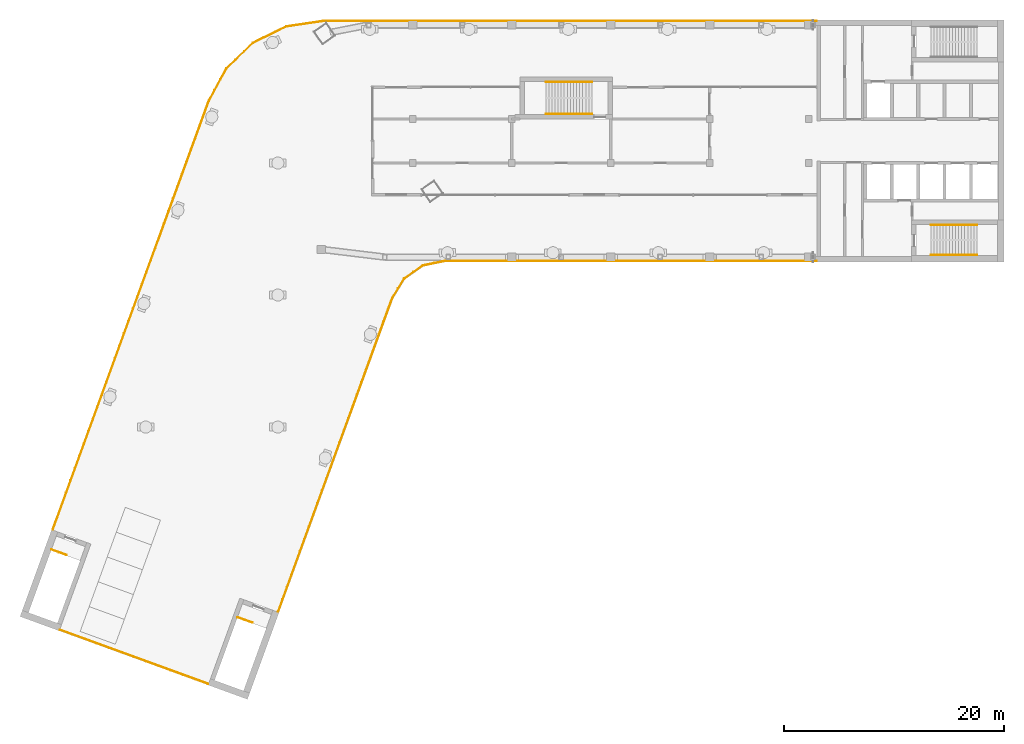
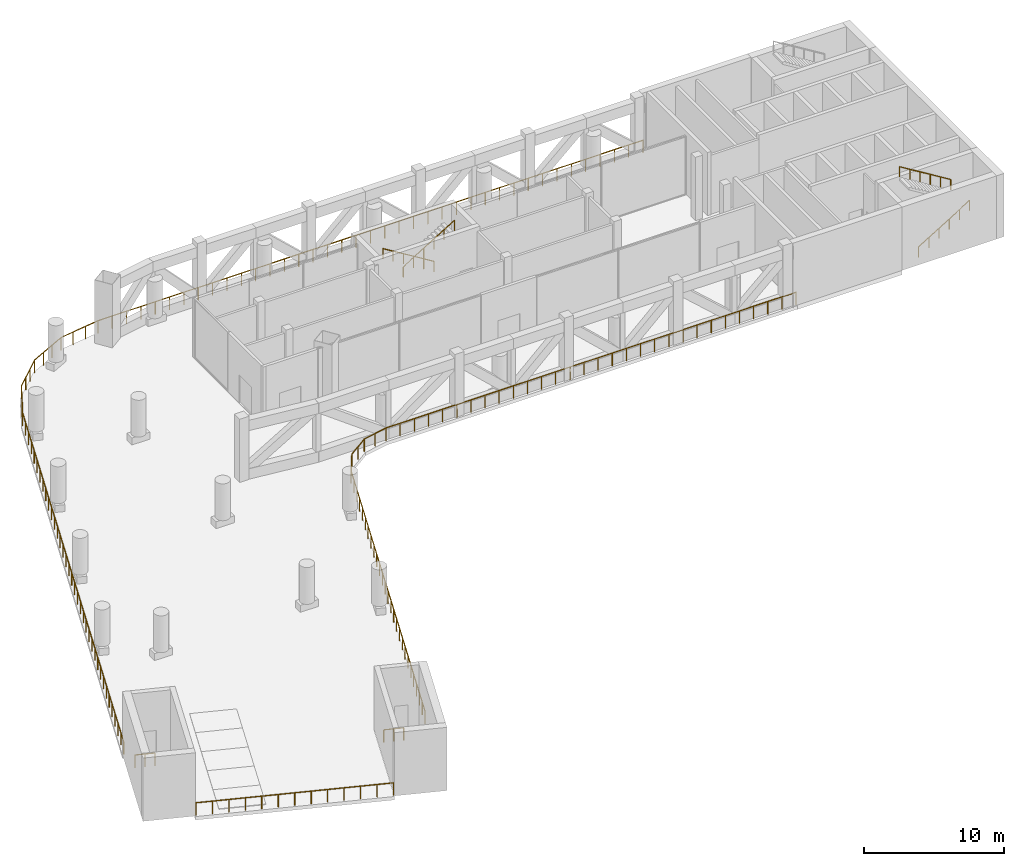
# One storey, part 11 of 14: 12 railings.
"""IFC4 building model written with IfcOpenShell, lengths in metres."""

from ifc_helpers import new_model, si_unit, direction, frame, origin, origin_2d, place, context, subcontext, project, spatial, circle, extrude, material, type_object, element, save


model = new_model("IFC4")

# Units and contexts
model_context = context("Model", 3, precision=1e-05, world=origin(), true_north=direction((0.0, 1.0)))
body_context = subcontext(model_context, "Body", "Model", "MODEL_VIEW")
ifc_project = project(units=[si_unit("LENGTHUNIT", "METRE"), si_unit("AREAUNIT", "SQUARE_METRE"), si_unit("VOLUMEUNIT", "CUBIC_METRE"), si_unit("PLANEANGLEUNIT", "RADIAN"), si_unit("MASSUNIT", "GRAM", prefix="KILO")], contexts=[model_context])

# Site, building, storey
site_placement = place(None, origin())
site = spatial("IfcSite", under=ifc_project, at=site_placement, CompositionType="ELEMENT")
building_placement = place(site_placement, origin())
building = spatial("IfcBuilding", under=site, at=building_placement, Name="Skarvind Civic Tower", CompositionType="ELEMENT")
storey_placement = place(building_placement, frame((0.0, 0.0, 236.0)))
storey = spatial("IfcBuildingStorey", under=building, at=storey_placement, Name="L56", CompositionType="ELEMENT", Elevation=236.0)

# Railings
ifc_material_1 = material(Name="Stainless steel balustrade", Category="steel")
railing_type_1 = type_object("IfcRailingType", Name="GR1 GUARD 1100", PredefinedType="GUARDRAIL", material=ifc_material_1)
railing_1_placement = place(storey_placement, frame((53.4755859375, 115.473876953125, 0.0)))
element("IfcRailing", 1, at=railing_1_placement, inside=storey, type_object=railing_type_1, Name="ROOF GARDEN GUARD", PredefinedType="GUARDRAIL", context=body_context, shape_type="SweptSolid", body=[
    extrude(circle(Radius=0.02392578125, at=origin_2d()), frame((0.0, 0.0, 1.076171875), z_axis=(-0.522450476879, -0.852669630753, 0.0), x_axis=(0.852669630753, -0.522450476879, 0.0)), (0.0, 0.0, 1.0), 2.052490234375),
    extrude(circle(Radius=0.02392578125, at=origin_2d()), frame((-1.072265625, -1.75, 1.076171875), z_axis=(-0.342015837048, -0.939694188132, 0.0), x_axis=(0.939694188132, -0.342015837048, 0.0)), (0.0, 0.0, 1.0), 30.324951171875),
    extrude(circle(Radius=0.02099609375, at=origin_2d()), origin(), (0.0, 0.0, 1.0), 1.052001953125),
    extrude(circle(Radius=0.02099609375, at=origin_2d()), frame((-0.5361328125, -0.875, 0.0)), (0.0, 0.0, 1.0), 1.052001953125),
    extrude(circle(Radius=0.02099609375, at=origin_2d()), frame((-1.072265625, -1.75, 0.0)), (0.0, 0.0, 1.0), 1.052001953125),
    extrude(circle(Radius=0.02099609375, at=origin_2d()), frame((-1.47119140625, -2.845947265625, 0.0)), (0.0, 0.0, 1.0), 1.052001953125),
    extrude(circle(Radius=0.02099609375, at=origin_2d()), frame((-1.8701171875, -3.94189453125, 0.0)), (0.0, 0.0, 1.0), 1.052001953125),
    extrude(circle(Radius=0.02099609375, at=origin_2d()), frame((-2.26904296875, -5.0380859375, 0.0)), (0.0, 0.0, 1.0), 1.052001953125),
    extrude(circle(Radius=0.02099609375, at=origin_2d()), frame((-2.66796875, -6.134033203125, 0.0)), (0.0, 0.0, 1.0), 1.052001953125),
    extrude(circle(Radius=0.02099609375, at=origin_2d()), frame((-3.06689453125, -7.22998046875, 0.0)), (0.0, 0.0, 1.0), 1.052001953125),
    extrude(circle(Radius=0.02099609375, at=origin_2d()), frame((-3.4658203125, -8.325927734375, 0.0)), (0.0, 0.0, 1.0), 1.052001953125),
    extrude(circle(Radius=0.02099609375, at=origin_2d()), frame((-3.864501953125, -9.422119140625, 0.0)), (0.0, 0.0, 1.0), 1.052001953125),
    extrude(circle(Radius=0.02099609375, at=origin_2d()), frame((-4.263427734375, -10.51806640625, 0.0)), (0.0, 0.0, 1.0), 1.052001953125),
    extrude(circle(Radius=0.02099609375, at=origin_2d()), frame((-4.662353515625, -11.614013671875, 0.0)), (0.0, 0.0, 1.0), 1.052001953125),
    extrude(circle(Radius=0.02099609375, at=origin_2d()), frame((-5.061279296875, -12.7099609375, 0.0)), (0.0, 0.0, 1.0), 1.052001953125),
    extrude(circle(Radius=0.02099609375, at=origin_2d()), frame((-5.460205078125, -13.80615234375, 0.0)), (0.0, 0.0, 1.0), 1.052001953125),
    extrude(circle(Radius=0.02099609375, at=origin_2d()), frame((-5.859130859375, -14.902099609375, 0.0)), (0.0, 0.0, 1.0), 1.052001953125),
    extrude(circle(Radius=0.02099609375, at=origin_2d()), frame((-6.258056640625, -15.998046875, 0.0)), (0.0, 0.0, 1.0), 1.052001953125),
    extrude(circle(Radius=0.02099609375, at=origin_2d()), frame((-6.656982421875, -17.093994140625, 0.0)), (0.0, 0.0, 1.0), 1.052001953125),
    extrude(circle(Radius=0.02099609375, at=origin_2d()), frame((-7.055908203125, -18.18994140625, 0.0)), (0.0, 0.0, 1.0), 1.052001953125),
    extrude(circle(Radius=0.02099609375, at=origin_2d()), frame((-7.454833984375, -19.2861328125, 0.0)), (0.0, 0.0, 1.0), 1.052001953125),
    extrude(circle(Radius=0.02099609375, at=origin_2d()), frame((-7.853759765625, -20.382080078125, 0.0)), (0.0, 0.0, 1.0), 1.052001953125),
    extrude(circle(Radius=0.02099609375, at=origin_2d()), frame((-8.252685546875, -21.47802734375, 0.0)), (0.0, 0.0, 1.0), 1.052001953125),
    extrude(circle(Radius=0.02099609375, at=origin_2d()), frame((-8.651611328125, -22.573974609375, 0.0)), (0.0, 0.0, 1.0), 1.052001953125),
    extrude(circle(Radius=0.02099609375, at=origin_2d()), frame((-9.05029296875, -23.670166015625, 0.0)), (0.0, 0.0, 1.0), 1.052001953125),
    extrude(circle(Radius=0.02099609375, at=origin_2d()), frame((-9.44921875, -24.76611328125, 0.0)), (0.0, 0.0, 1.0), 1.052001953125),
    extrude(circle(Radius=0.02099609375, at=origin_2d()), frame((-9.84814453125, -25.862060546875, 0.0)), (0.0, 0.0, 1.0), 1.052001953125),
    extrude(circle(Radius=0.02099609375, at=origin_2d()), frame((-10.2470703125, -26.9580078125, 0.0)), (0.0, 0.0, 1.0), 1.052001953125),
    extrude(circle(Radius=0.02099609375, at=origin_2d()), frame((-10.64599609375, -28.05419921875, 0.0)), (0.0, 0.0, 1.0), 1.052001953125),
    extrude(circle(Radius=0.02099609375, at=origin_2d()), frame((-11.044921875, -29.150146484375, 0.0)), (0.0, 0.0, 1.0), 1.052001953125),
    extrude(circle(Radius=0.02099609375, at=origin_2d()), frame((-11.44384765625, -30.24609375, 0.0)), (0.0, 0.0, 1.0), 1.052001953125),
])
railing_2_placement = place(storey_placement, frame((35.652099609375, 78.663818359375, 0.0)))
element("IfcRailing", 2, at=railing_2_placement, inside=storey, type_object=railing_type_1, Name="ROOF GARDEN GUARD", PredefinedType="GUARDRAIL", context=body_context, shape_type="SweptSolid", body=[
    extrude(circle(Radius=0.02392578125, at=origin_2d()), frame((0.0, 0.0, 1.076171875), z_axis=(-0.939694188226, 0.342015836789, 0.0), x_axis=(-0.342015836789, -0.939694188226, 0.0)), (0.0, 0.0, 1.0), 14.300048828125),
    extrude(circle(Radius=0.02099609375, at=origin_2d()), origin(), (0.0, 0.0, 1.0), 1.052001953125),
    extrude(circle(Radius=0.02099609375, at=origin_2d()), frame((-1.119873046875, 0.407470703125, 0.0)), (0.0, 0.0, 1.0), 1.052001953125),
    extrude(circle(Radius=0.02099609375, at=origin_2d()), frame((-2.23974609375, 0.815185546875, 0.0)), (0.0, 0.0, 1.0), 1.052001953125),
    extrude(circle(Radius=0.02099609375, at=origin_2d()), frame((-3.359375, 1.22265625, 0.0)), (0.0, 0.0, 1.0), 1.052001953125),
    extrude(circle(Radius=0.02099609375, at=origin_2d()), frame((-4.479248046875, 1.63037109375, 0.0)), (0.0, 0.0, 1.0), 1.052001953125),
    extrude(circle(Radius=0.02099609375, at=origin_2d()), frame((-5.59912109375, 2.037841796875, 0.0)), (0.0, 0.0, 1.0), 1.052001953125),
    extrude(circle(Radius=0.02099609375, at=origin_2d()), frame((-6.71875, 2.4453125, 0.0)), (0.0, 0.0, 1.0), 1.052001953125),
    extrude(circle(Radius=0.02099609375, at=origin_2d()), frame((-7.838623046875, 2.85302734375, 0.0)), (0.0, 0.0, 1.0), 1.052001953125),
    extrude(circle(Radius=0.02099609375, at=origin_2d()), frame((-8.95849609375, 3.260498046875, 0.0)), (0.0, 0.0, 1.0), 1.052001953125),
    extrude(circle(Radius=0.02099609375, at=origin_2d()), frame((-10.078369140625, 3.668212890625, 0.0)), (0.0, 0.0, 1.0), 1.052001953125),
    extrude(circle(Radius=0.02099609375, at=origin_2d()), frame((-11.1982421875, 4.07568359375, 0.0)), (0.0, 0.0, 1.0), 1.052001953125),
    extrude(circle(Radius=0.02099609375, at=origin_2d()), frame((-12.31787109375, 4.4833984375, 0.0)), (0.0, 0.0, 1.0), 1.052001953125),
    extrude(circle(Radius=0.02099609375, at=origin_2d()), frame((-13.437744140625, 4.890869140625, 0.0)), (0.0, 0.0, 1.0), 1.052001953125),
])
railing_3_placement = place(storey_placement, frame((21.54638671875, 92.683837890625, 0.0)))
element("IfcRailing", 3, at=railing_3_placement, inside=storey, type_object=railing_type_1, Name="ROOF GARDEN GUARD", PredefinedType="GUARDRAIL", context=body_context, shape_type="SweptSolid", body=[
    extrude(circle(Radius=0.02392578125, at=origin_2d()), frame((0.0, 0.0, 1.076171875), z_axis=(0.342021144577, 0.93969225636, 0.0), x_axis=(-0.93969225636, 0.342021144577, 0.0)), (0.0, 0.0, 1.0), 41.447021484375),
    extrude(circle(Radius=0.02099609375, at=origin_2d()), origin(), (0.0, 0.0, 1.0), 1.052001953125),
    extrude(circle(Radius=0.02099609375, at=origin_2d()), frame((0.405029296875, 1.11279296875, 0.0)), (0.0, 0.0, 1.0), 1.052001953125),
    extrude(circle(Radius=0.02099609375, at=origin_2d()), frame((0.81005859375, 2.2255859375, 0.0)), (0.0, 0.0, 1.0), 1.052001953125),
    extrude(circle(Radius=0.02099609375, at=origin_2d()), frame((1.215087890625, 3.33837890625, 0.0)), (0.0, 0.0, 1.0), 1.052001953125),
    extrude(circle(Radius=0.02099609375, at=origin_2d()), frame((1.6201171875, 4.451171875, 0.0)), (0.0, 0.0, 1.0), 1.052001953125),
    extrude(circle(Radius=0.02099609375, at=origin_2d()), frame((2.025146484375, 5.56396484375, 0.0)), (0.0, 0.0, 1.0), 1.052001953125),
    extrude(circle(Radius=0.02099609375, at=origin_2d()), frame((2.43017578125, 6.6767578125, 0.0)), (0.0, 0.0, 1.0), 1.052001953125),
    extrude(circle(Radius=0.02099609375, at=origin_2d()), frame((2.835205078125, 7.78955078125, 0.0)), (0.0, 0.0, 1.0), 1.052001953125),
    extrude(circle(Radius=0.02099609375, at=origin_2d()), frame((3.240234375, 8.90234375, 0.0)), (0.0, 0.0, 1.0), 1.052001953125),
    extrude(circle(Radius=0.02099609375, at=origin_2d()), frame((3.645263671875, 10.01513671875, 0.0)), (0.0, 0.0, 1.0), 1.052001953125),
    extrude(circle(Radius=0.02099609375, at=origin_2d()), frame((4.05029296875, 11.1279296875, 0.0)), (0.0, 0.0, 1.0), 1.052001953125),
    extrude(circle(Radius=0.02099609375, at=origin_2d()), frame((4.455322265625, 12.24072265625, 0.0)), (0.0, 0.0, 1.0), 1.052001953125),
    extrude(circle(Radius=0.02099609375, at=origin_2d()), frame((4.8603515625, 13.353515625, 0.0)), (0.0, 0.0, 1.0), 1.052001953125),
    extrude(circle(Radius=0.02099609375, at=origin_2d()), frame((5.265380859375, 14.46630859375, 0.0)), (0.0, 0.0, 1.0), 1.052001953125),
    extrude(circle(Radius=0.02099609375, at=origin_2d()), frame((5.67041015625, 15.5791015625, 0.0)), (0.0, 0.0, 1.0), 1.052001953125),
    extrude(circle(Radius=0.02099609375, at=origin_2d()), frame((6.075439453125, 16.69189453125, 0.0)), (0.0, 0.0, 1.0), 1.052001953125),
    extrude(circle(Radius=0.02099609375, at=origin_2d()), frame((6.48046875, 17.8046875, 0.0)), (0.0, 0.0, 1.0), 1.052001953125),
    extrude(circle(Radius=0.02099609375, at=origin_2d()), frame((6.885498046875, 18.91748046875, 0.0)), (0.0, 0.0, 1.0), 1.052001953125),
    extrude(circle(Radius=0.02099609375, at=origin_2d()), frame((7.290283203125, 20.030029296875, 0.0)), (0.0, 0.0, 1.0), 1.052001953125),
    extrude(circle(Radius=0.02099609375, at=origin_2d()), frame((7.6953125, 21.142822265625, 0.0)), (0.0, 0.0, 1.0), 1.052001953125),
    extrude(circle(Radius=0.02099609375, at=origin_2d()), frame((8.100341796875, 22.255615234375, 0.0)), (0.0, 0.0, 1.0), 1.052001953125),
    extrude(circle(Radius=0.02099609375, at=origin_2d()), frame((8.50537109375, 23.368408203125, 0.0)), (0.0, 0.0, 1.0), 1.052001953125),
    extrude(circle(Radius=0.02099609375, at=origin_2d()), frame((8.910400390625, 24.481201171875, 0.0)), (0.0, 0.0, 1.0), 1.052001953125),
    extrude(circle(Radius=0.02099609375, at=origin_2d()), frame((9.3154296875, 25.593994140625, 0.0)), (0.0, 0.0, 1.0), 1.052001953125),
    extrude(circle(Radius=0.02099609375, at=origin_2d()), frame((9.720458984375, 26.706787109375, 0.0)), (0.0, 0.0, 1.0), 1.052001953125),
    extrude(circle(Radius=0.02099609375, at=origin_2d()), frame((10.12548828125, 27.819580078125, 0.0)), (0.0, 0.0, 1.0), 1.052001953125),
    extrude(circle(Radius=0.02099609375, at=origin_2d()), frame((10.530517578125, 28.932373046875, 0.0)), (0.0, 0.0, 1.0), 1.052001953125),
    extrude(circle(Radius=0.02099609375, at=origin_2d()), frame((10.935546875, 30.045166015625, 0.0)), (0.0, 0.0, 1.0), 1.052001953125),
    extrude(circle(Radius=0.02099609375, at=origin_2d()), frame((11.340576171875, 31.157958984375, 0.0)), (0.0, 0.0, 1.0), 1.052001953125),
    extrude(circle(Radius=0.02099609375, at=origin_2d()), frame((11.74560546875, 32.270751953125, 0.0)), (0.0, 0.0, 1.0), 1.052001953125),
    extrude(circle(Radius=0.02099609375, at=origin_2d()), frame((12.150634765625, 33.383544921875, 0.0)), (0.0, 0.0, 1.0), 1.052001953125),
    extrude(circle(Radius=0.02099609375, at=origin_2d()), frame((12.5556640625, 34.496337890625, 0.0)), (0.0, 0.0, 1.0), 1.052001953125),
    extrude(circle(Radius=0.02099609375, at=origin_2d()), frame((12.960693359375, 35.609130859375, 0.0)), (0.0, 0.0, 1.0), 1.052001953125),
    extrude(circle(Radius=0.02099609375, at=origin_2d()), frame((13.36572265625, 36.721923828125, 0.0)), (0.0, 0.0, 1.0), 1.052001953125),
    extrude(circle(Radius=0.02099609375, at=origin_2d()), frame((13.770751953125, 37.834716796875, 0.0)), (0.0, 0.0, 1.0), 1.052001953125),
    extrude(circle(Radius=0.02099609375, at=origin_2d()), frame((14.17578125, 38.947509765625, 0.0)), (0.0, 0.0, 1.0), 1.052001953125),
])
railing_4_placement = place(storey_placement, frame((35.72216796875, 131.63134765625, 0.0)))
element("IfcRailing", 4, at=railing_4_placement, inside=storey, type_object=railing_type_1, Name="ROOF GARDEN GUARD", PredefinedType="GUARDRAIL", context=body_context, shape_type="SweptSolid", body=[
    extrude(circle(Radius=0.02392578125, at=origin_2d()), frame((0.0, 0.0, 1.076171875), z_axis=(0.476500190708, 0.879174367378, 0.0), x_axis=(-0.879174367378, 0.476500190708, 0.0)), (0.0, 0.0, 1.0), 3.369873046875),
    extrude(circle(Radius=0.02392578125, at=origin_2d()), frame((1.605712890625, 2.962646484375, 1.076171875), z_axis=(0.721198618013, 0.692728340243, 0.0), x_axis=(-0.692728340243, 0.721198618013, 0.0)), (0.0, 0.0, 1.0), 3.361572265625),
    extrude(circle(Radius=0.02392578125, at=origin_2d()), frame((4.030029296875, 5.291259765625, 1.076171875), z_axis=(0.897628432025, 0.440752989803, 0.0), x_axis=(-0.440752989803, 0.897628432025, 0.0)), (0.0, 0.0, 1.0), 3.36181640625),
    extrude(circle(Radius=0.02392578125, at=origin_2d()), frame((7.047607421875, 6.77294921875, 1.076171875), z_axis=(0.989124740539, 0.147079052395, 0.0), x_axis=(-0.147079052395, 0.989124740539, 0.0)), (0.0, 0.0, 1.0), 3.36962890625),
    extrude(circle(Radius=0.02392578125, at=origin_2d()), frame((10.380615234375, 7.2685546875, 1.076171875), z_axis=(1.0, 0.0, 0.0), x_axis=(0.0, 1.0, 0.0)), (0.0, 0.0, 1.0), 44.84716796875),
    extrude(circle(Radius=0.02099609375, at=origin_2d()), origin(), (0.0, 0.0, 1.0), 1.052001953125),
    extrude(circle(Radius=0.02099609375, at=origin_2d()), frame((0.53515625, 0.987548828125, 0.0)), (0.0, 0.0, 1.0), 1.052001953125),
    extrude(circle(Radius=0.02099609375, at=origin_2d()), frame((1.070556640625, 1.97509765625, 0.0)), (0.0, 0.0, 1.0), 1.052001953125),
    extrude(circle(Radius=0.02099609375, at=origin_2d()), frame((1.605712890625, 2.962646484375, 0.0)), (0.0, 0.0, 1.0), 1.052001953125),
    extrude(circle(Radius=0.02099609375, at=origin_2d()), frame((2.413818359375, 3.73876953125, 0.0)), (0.0, 0.0, 1.0), 1.052001953125),
    extrude(circle(Radius=0.02099609375, at=origin_2d()), frame((3.221923828125, 4.51513671875, 0.0)), (0.0, 0.0, 1.0), 1.052001953125),
    extrude(circle(Radius=0.02099609375, at=origin_2d()), frame((4.030029296875, 5.291259765625, 0.0)), (0.0, 0.0, 1.0), 1.052001953125),
    extrude(circle(Radius=0.02099609375, at=origin_2d()), frame((5.035888671875, 5.78515625, 0.0)), (0.0, 0.0, 1.0), 1.052001953125),
    extrude(circle(Radius=0.02099609375, at=origin_2d()), frame((6.041748046875, 6.279052734375, 0.0)), (0.0, 0.0, 1.0), 1.052001953125),
    extrude(circle(Radius=0.02099609375, at=origin_2d()), frame((7.047607421875, 6.77294921875, 0.0)), (0.0, 0.0, 1.0), 1.052001953125),
    extrude(circle(Radius=0.02099609375, at=origin_2d()), frame((8.15869140625, 6.938232421875, 0.0)), (0.0, 0.0, 1.0), 1.052001953125),
    extrude(circle(Radius=0.02099609375, at=origin_2d()), frame((9.26953125, 7.103271484375, 0.0)), (0.0, 0.0, 1.0), 1.052001953125),
    extrude(circle(Radius=0.02099609375, at=origin_2d()), frame((10.380615234375, 7.2685546875, 0.0)), (0.0, 0.0, 1.0), 1.052001953125),
    extrude(circle(Radius=0.02099609375, at=origin_2d()), frame((11.560791015625, 7.2685546875, 0.0)), (0.0, 0.0, 1.0), 1.052001953125),
    extrude(circle(Radius=0.02099609375, at=origin_2d()), frame((12.740966796875, 7.2685546875, 0.0)), (0.0, 0.0, 1.0), 1.052001953125),
    extrude(circle(Radius=0.02099609375, at=origin_2d()), frame((13.921142578125, 7.2685546875, 0.0)), (0.0, 0.0, 1.0), 1.052001953125),
    extrude(circle(Radius=0.02099609375, at=origin_2d()), frame((15.101318359375, 7.2685546875, 0.0)), (0.0, 0.0, 1.0), 1.052001953125),
    extrude(circle(Radius=0.02099609375, at=origin_2d()), frame((16.281494140625, 7.2685546875, 0.0)), (0.0, 0.0, 1.0), 1.052001953125),
    extrude(circle(Radius=0.02099609375, at=origin_2d()), frame((17.461669921875, 7.2685546875, 0.0)), (0.0, 0.0, 1.0), 1.052001953125),
    extrude(circle(Radius=0.02099609375, at=origin_2d()), frame((18.641845703125, 7.2685546875, 0.0)), (0.0, 0.0, 1.0), 1.052001953125),
    extrude(circle(Radius=0.02099609375, at=origin_2d()), frame((19.822021484375, 7.2685546875, 0.0)), (0.0, 0.0, 1.0), 1.052001953125),
    extrude(circle(Radius=0.02099609375, at=origin_2d()), frame((21.002197265625, 7.2685546875, 0.0)), (0.0, 0.0, 1.0), 1.052001953125),
    extrude(circle(Radius=0.02099609375, at=origin_2d()), frame((22.1826171875, 7.2685546875, 0.0)), (0.0, 0.0, 1.0), 1.052001953125),
    extrude(circle(Radius=0.02099609375, at=origin_2d()), frame((23.36279296875, 7.2685546875, 0.0)), (0.0, 0.0, 1.0), 1.052001953125),
    extrude(circle(Radius=0.02099609375, at=origin_2d()), frame((24.54296875, 7.2685546875, 0.0)), (0.0, 0.0, 1.0), 1.052001953125),
    extrude(circle(Radius=0.02099609375, at=origin_2d()), frame((25.72314453125, 7.2685546875, 0.0)), (0.0, 0.0, 1.0), 1.052001953125),
    extrude(circle(Radius=0.02099609375, at=origin_2d()), frame((26.9033203125, 7.2685546875, 0.0)), (0.0, 0.0, 1.0), 1.052001953125),
    extrude(circle(Radius=0.02099609375, at=origin_2d()), frame((28.08349609375, 7.2685546875, 0.0)), (0.0, 0.0, 1.0), 1.052001953125),
    extrude(circle(Radius=0.02099609375, at=origin_2d()), frame((29.263671875, 7.2685546875, 0.0)), (0.0, 0.0, 1.0), 1.052001953125),
    extrude(circle(Radius=0.02099609375, at=origin_2d()), frame((30.44384765625, 7.2685546875, 0.0)), (0.0, 0.0, 1.0), 1.052001953125),
    extrude(circle(Radius=0.02099609375, at=origin_2d()), frame((31.6240234375, 7.2685546875, 0.0)), (0.0, 0.0, 1.0), 1.052001953125),
    extrude(circle(Radius=0.02099609375, at=origin_2d()), frame((32.80419921875, 7.2685546875, 0.0)), (0.0, 0.0, 1.0), 1.052001953125),
    extrude(circle(Radius=0.02099609375, at=origin_2d()), frame((33.984375, 7.2685546875, 0.0)), (0.0, 0.0, 1.0), 1.052001953125),
    extrude(circle(Radius=0.02099609375, at=origin_2d()), frame((35.16455078125, 7.2685546875, 0.0)), (0.0, 0.0, 1.0), 1.052001953125),
    extrude(circle(Radius=0.02099609375, at=origin_2d()), frame((36.3447265625, 7.2685546875, 0.0)), (0.0, 0.0, 1.0), 1.052001953125),
    extrude(circle(Radius=0.02099609375, at=origin_2d()), frame((37.52490234375, 7.2685546875, 0.0)), (0.0, 0.0, 1.0), 1.052001953125),
    extrude(circle(Radius=0.02099609375, at=origin_2d()), frame((38.705078125, 7.2685546875, 0.0)), (0.0, 0.0, 1.0), 1.052001953125),
    extrude(circle(Radius=0.02099609375, at=origin_2d()), frame((39.88525390625, 7.2685546875, 0.0)), (0.0, 0.0, 1.0), 1.052001953125),
    extrude(circle(Radius=0.02099609375, at=origin_2d()), frame((41.0654296875, 7.2685546875, 0.0)), (0.0, 0.0, 1.0), 1.052001953125),
    extrude(circle(Radius=0.02099609375, at=origin_2d()), frame((42.24560546875, 7.2685546875, 0.0)), (0.0, 0.0, 1.0), 1.052001953125),
    extrude(circle(Radius=0.02099609375, at=origin_2d()), frame((43.42578125, 7.2685546875, 0.0)), (0.0, 0.0, 1.0), 1.052001953125),
    extrude(circle(Radius=0.02099609375, at=origin_2d()), frame((44.606201171875, 7.2685546875, 0.0)), (0.0, 0.0, 1.0), 1.052001953125),
    extrude(circle(Radius=0.02099609375, at=origin_2d()), frame((45.786376953125, 7.2685546875, 0.0)), (0.0, 0.0, 1.0), 1.052001953125),
    extrude(circle(Radius=0.02099609375, at=origin_2d()), frame((46.966552734375, 7.2685546875, 0.0)), (0.0, 0.0, 1.0), 1.052001953125),
    extrude(circle(Radius=0.02099609375, at=origin_2d()), frame((48.146728515625, 7.2685546875, 0.0)), (0.0, 0.0, 1.0), 1.052001953125),
    extrude(circle(Radius=0.02099609375, at=origin_2d()), frame((49.326904296875, 7.2685546875, 0.0)), (0.0, 0.0, 1.0), 1.052001953125),
    extrude(circle(Radius=0.02099609375, at=origin_2d()), frame((50.507080078125, 7.2685546875, 0.0)), (0.0, 0.0, 1.0), 1.052001953125),
    extrude(circle(Radius=0.02099609375, at=origin_2d()), frame((51.687255859375, 7.2685546875, 0.0)), (0.0, 0.0, 1.0), 1.052001953125),
    extrude(circle(Radius=0.02099609375, at=origin_2d()), frame((52.867431640625, 7.2685546875, 0.0)), (0.0, 0.0, 1.0), 1.052001953125),
    extrude(circle(Radius=0.02099609375, at=origin_2d()), frame((54.047607421875, 7.2685546875, 0.0)), (0.0, 0.0, 1.0), 1.052001953125),
    extrude(circle(Radius=0.02099609375, at=origin_2d()), frame((55.227783203125, 7.2685546875, 0.0)), (0.0, 0.0, 1.0), 1.052001953125),
])
railing_5_placement = place(storey_placement, frame((90.949951171875, 117.10009765625, 0.0)))
element("IfcRailing", 5, at=railing_5_placement, inside=storey, type_object=railing_type_1, Name="ROOF GARDEN GUARD", PredefinedType="GUARDRAIL", context=body_context, shape_type="SweptSolid", body=[
    extrude(circle(Radius=0.02392578125, at=origin_2d()), frame((0.0, 0.0, 1.076171875), z_axis=(-1.0, 0.0, 0.0), x_axis=(0.0, -1.0, 0.0)), (0.0, 0.0, 1.0), 33.724853515625),
    extrude(circle(Radius=0.02099609375, at=origin_2d()), origin(), (0.0, 0.0, 1.0), 1.052001953125),
    extrude(circle(Radius=0.02099609375, at=origin_2d()), frame((-1.162841796875, 0.0, 0.0)), (0.0, 0.0, 1.0), 1.052001953125),
    extrude(circle(Radius=0.02099609375, at=origin_2d()), frame((-2.325927734375, 0.0, 0.0)), (0.0, 0.0, 1.0), 1.052001953125),
    extrude(circle(Radius=0.02099609375, at=origin_2d()), frame((-3.48876953125, 0.0, 0.0)), (0.0, 0.0, 1.0), 1.052001953125),
    extrude(circle(Radius=0.02099609375, at=origin_2d()), frame((-4.651611328125, 0.0, 0.0)), (0.0, 0.0, 1.0), 1.052001953125),
    extrude(circle(Radius=0.02099609375, at=origin_2d()), frame((-5.814697265625, 0.0, 0.0)), (0.0, 0.0, 1.0), 1.052001953125),
    extrude(circle(Radius=0.02099609375, at=origin_2d()), frame((-6.9775390625, 0.0, 0.0)), (0.0, 0.0, 1.0), 1.052001953125),
    extrude(circle(Radius=0.02099609375, at=origin_2d()), frame((-8.140380859375, 0.0, 0.0)), (0.0, 0.0, 1.0), 1.052001953125),
    extrude(circle(Radius=0.02099609375, at=origin_2d()), frame((-9.303466796875, 0.0, 0.0)), (0.0, 0.0, 1.0), 1.052001953125),
    extrude(circle(Radius=0.02099609375, at=origin_2d()), frame((-10.46630859375, 0.0, 0.0)), (0.0, 0.0, 1.0), 1.052001953125),
    extrude(circle(Radius=0.02099609375, at=origin_2d()), frame((-11.629150390625, 0.0, 0.0)), (0.0, 0.0, 1.0), 1.052001953125),
    extrude(circle(Radius=0.02099609375, at=origin_2d()), frame((-12.792236328125, 0.0, 0.0)), (0.0, 0.0, 1.0), 1.052001953125),
    extrude(circle(Radius=0.02099609375, at=origin_2d()), frame((-13.955078125, 0.0, 0.0)), (0.0, 0.0, 1.0), 1.052001953125),
    extrude(circle(Radius=0.02099609375, at=origin_2d()), frame((-15.117919921875, 0.0, 0.0)), (0.0, 0.0, 1.0), 1.052001953125),
    extrude(circle(Radius=0.02099609375, at=origin_2d()), frame((-16.281005859375, 0.0, 0.0)), (0.0, 0.0, 1.0), 1.052001953125),
    extrude(circle(Radius=0.02099609375, at=origin_2d()), frame((-17.44384765625, 0.0, 0.0)), (0.0, 0.0, 1.0), 1.052001953125),
    extrude(circle(Radius=0.02099609375, at=origin_2d()), frame((-18.60693359375, 0.0, 0.0)), (0.0, 0.0, 1.0), 1.052001953125),
    extrude(circle(Radius=0.02099609375, at=origin_2d()), frame((-19.769775390625, 0.0, 0.0)), (0.0, 0.0, 1.0), 1.052001953125),
    extrude(circle(Radius=0.02099609375, at=origin_2d()), frame((-20.9326171875, 0.0, 0.0)), (0.0, 0.0, 1.0), 1.052001953125),
    extrude(circle(Radius=0.02099609375, at=origin_2d()), frame((-22.095703125, 0.0, 0.0)), (0.0, 0.0, 1.0), 1.052001953125),
    extrude(circle(Radius=0.02099609375, at=origin_2d()), frame((-23.258544921875, 0.0, 0.0)), (0.0, 0.0, 1.0), 1.052001953125),
    extrude(circle(Radius=0.02099609375, at=origin_2d()), frame((-24.42138671875, 0.0, 0.0)), (0.0, 0.0, 1.0), 1.052001953125),
    extrude(circle(Radius=0.02099609375, at=origin_2d()), frame((-25.58447265625, 0.0, 0.0)), (0.0, 0.0, 1.0), 1.052001953125),
    extrude(circle(Radius=0.02099609375, at=origin_2d()), frame((-26.747314453125, 0.0, 0.0)), (0.0, 0.0, 1.0), 1.052001953125),
    extrude(circle(Radius=0.02099609375, at=origin_2d()), frame((-27.91015625, 0.0, 0.0)), (0.0, 0.0, 1.0), 1.052001953125),
    extrude(circle(Radius=0.02099609375, at=origin_2d()), frame((-29.0732421875, 0.0, 0.0)), (0.0, 0.0, 1.0), 1.052001953125),
    extrude(circle(Radius=0.02099609375, at=origin_2d()), frame((-30.236083984375, 0.0, 0.0)), (0.0, 0.0, 1.0), 1.052001953125),
    extrude(circle(Radius=0.02099609375, at=origin_2d()), frame((-31.39892578125, 0.0, 0.0)), (0.0, 0.0, 1.0), 1.052001953125),
    extrude(circle(Radius=0.02099609375, at=origin_2d()), frame((-32.56201171875, 0.0, 0.0)), (0.0, 0.0, 1.0), 1.052001953125),
    extrude(circle(Radius=0.02099609375, at=origin_2d()), frame((-33.724853515625, 0.0, 0.0)), (0.0, 0.0, 1.0), 1.052001953125),
])
railing_6_placement = place(storey_placement, frame((57.22509765625, 117.10009765625, 0.0)))
element("IfcRailing", 6, at=railing_6_placement, inside=storey, type_object=railing_type_1, Name="ROOF GARDEN GUARD", PredefinedType="GUARDRAIL", context=body_context, shape_type="SweptSolid", body=[
    extrude(circle(Radius=0.02392578125, at=origin_2d()), frame((0.0, 0.0, 1.076171875), z_axis=(-0.979946017644, -0.199263148883, 0.0), x_axis=(0.199263148883, -0.979946017644, 0.0)), (0.0, 0.0, 1.0), 2.072998046875),
    extrude(circle(Radius=0.02392578125, at=origin_2d()), frame((-2.031494140625, -0.4130859375, 1.076171875), z_axis=(-0.819181886274, -0.57353381522, 0.0), x_axis=(0.57353381522, -0.819181886274, 0.0)), (0.0, 0.0, 1.0), 2.063232421875),
    extrude(circle(Radius=0.02099609375, at=origin_2d()), origin(), (0.0, 0.0, 1.0), 1.052001953125),
    extrude(circle(Radius=0.02099609375, at=origin_2d()), frame((-1.015625, -0.20654296875, 0.0)), (0.0, 0.0, 1.0), 1.052001953125),
    extrude(circle(Radius=0.02099609375, at=origin_2d()), frame((-2.031494140625, -0.4130859375, 0.0)), (0.0, 0.0, 1.0), 1.052001953125),
    extrude(circle(Radius=0.02099609375, at=origin_2d()), frame((-2.87646484375, -1.0048828125, 0.0)), (0.0, 0.0, 1.0), 1.052001953125),
    extrude(circle(Radius=0.02099609375, at=origin_2d()), frame((-3.7216796875, -1.596435546875, 0.0)), (0.0, 0.0, 1.0), 1.052001953125),
])
ifc_material_2 = material(Name="Painted steel balustrade", Category="steel")
railing_type_2 = type_object("IfcRailingType", Name="Stair guard 1100", PredefinedType="GUARDRAIL", material=ifc_material_2)
railing_7_placement = place(storey_placement, frame((38.332275390625, 84.7119140625, 0.0)))
element("IfcRailing", 7, at=railing_7_placement, inside=storey, type_object=railing_type_2, Name="Stair guard", PredefinedType="GUARDRAIL", context=body_context, shape_type="SweptSolid", body=[
    extrude(circle(Radius=0.02392578125, at=origin_2d()), frame((0.0, 0.0, 1.076171875), z_axis=(0.939709821598, -0.341972880786, 0.0), x_axis=(0.341972880786, 0.939709821598, 0.0)), (0.0, 0.0, 1.0), 1.449951171875),
    extrude(circle(Radius=0.02099609375, at=origin_2d()), origin(), (0.0, 0.0, 1.0), 1.052001953125),
    extrude(circle(Radius=0.02099609375, at=origin_2d()), frame((0.68115234375, -0.248046875, 0.0)), (0.0, 0.0, 1.0), 1.052001953125),
    extrude(circle(Radius=0.02099609375, at=origin_2d()), frame((1.362548828125, -0.495849609375, 0.0)), (0.0, 0.0, 1.0), 1.052001953125),
])
railing_8_placement = place(storey_placement, frame((21.417724609375, 90.868408203125, 0.0)))
element("IfcRailing", 8, at=railing_8_placement, inside=storey, type_object=railing_type_2, Name="Stair guard", PredefinedType="GUARDRAIL", context=body_context, shape_type="SweptSolid", body=[
    extrude(circle(Radius=0.02392578125, at=origin_2d()), frame((0.0, 0.0, 1.076171875), z_axis=(0.939655704243, -0.342121553668, 0.0), x_axis=(0.342121553668, 0.939655704243, 0.0)), (0.0, 0.0, 1.0), 1.449951171875),
    extrude(circle(Radius=0.02099609375, at=origin_2d()), origin(), (0.0, 0.0, 1.0), 1.052001953125),
    extrude(circle(Radius=0.02099609375, at=origin_2d()), frame((0.68115234375, -0.248046875, 0.0)), (0.0, 0.0, 1.0), 1.052001953125),
    extrude(circle(Radius=0.02099609375, at=origin_2d()), frame((1.362548828125, -0.49609375, 0.0)), (0.0, 0.0, 1.0), 1.052001953125),
])
ifc_material_3 = material(Name="Painted steel handrail", Category="steel")
railing_type_3 = type_object("IfcRailingType", Name="Stair handrail 900", PredefinedType="HANDRAIL", material=ifc_material_3)
railing_9_placement = place(storey_placement, frame((101.35009765625, 117.64990234375, 0.171875)))
element("IfcRailing", 9, at=railing_9_placement, inside=storey, type_object=railing_type_3, Name="Stair handrail", PredefinedType="HANDRAIL", context=body_context, shape_type="SweptSolid", body=[
    extrude(circle(Radius=0.02392578125, at=origin_2d()), frame((0.0, 0.0, 0.8759765625), z_axis=(0.852242915053, 0.0, 0.523146264196), x_axis=(0.0, 1.0, 0.0)), (0.0, 0.0, 1.0), 4.92822265625),
    extrude(circle(Radius=0.02099609375, at=origin_2d()), origin(), (0.0, 0.0, 1.0), 0.851806640625),
    extrude(circle(Radius=0.02099609375, at=origin_2d()), frame((0.840087890625, 0.0, 0.515625)), (0.0, 0.0, 1.0), 0.851806640625),
    extrude(circle(Radius=0.02099609375, at=origin_2d()), frame((1.679931640625, 0.0, 1.03125)), (0.0, 0.0, 1.0), 0.851806640625),
    extrude(circle(Radius=0.02099609375, at=origin_2d()), frame((2.52001953125, 0.0, 1.546875)), (0.0, 0.0, 1.0), 0.851806640625),
    extrude(circle(Radius=0.02099609375, at=origin_2d()), frame((3.35986328125, 0.0, 2.0625)), (0.0, 0.0, 1.0), 0.851806640625),
    extrude(circle(Radius=0.02099609375, at=origin_2d()), frame((4.199951171875, 0.0, 2.578125)), (0.0, 0.0, 1.0), 0.851806640625),
])
for number, where, name in (
    (10, (105.550048828125, 120.35009765625, 2.921875), "Stair handrail"),
    (11, (70.550048828125, 133.35009765625, 0.171875), "Stair handrail"),
):
    element("IfcRailing", number, at=place(storey_placement, frame(where)), inside=storey, type_object=railing_type_3, Name=name, PredefinedType="HANDRAIL", context=body_context, shape_type="SweptSolid", body=[
        extrude(circle(Radius=0.02392578125, at=origin_2d()), frame((0.0, 0.0, 0.8759765625), z_axis=(-0.852242915053, 0.0, 0.523146264196), x_axis=(0.0, -1.0, 0.0)), (0.0, 0.0, 1.0), 4.92822265625),
        extrude(circle(Radius=0.02099609375, at=origin_2d()), origin(), (0.0, 0.0, 1.0), 0.851806640625),
        extrude(circle(Radius=0.02099609375, at=origin_2d()), frame((-0.840087890625, 0.0, 0.515625)), (0.0, 0.0, 1.0), 0.851806640625),
        extrude(circle(Radius=0.02099609375, at=origin_2d()), frame((-1.679931640625, 0.0, 1.03125)), (0.0, 0.0, 1.0), 0.851806640625),
        extrude(circle(Radius=0.02099609375, at=origin_2d()), frame((-2.52001953125, 0.0, 1.546875)), (0.0, 0.0, 1.0), 0.851806640625),
        extrude(circle(Radius=0.02099609375, at=origin_2d()), frame((-3.35986328125, 0.0, 2.0625)), (0.0, 0.0, 1.0), 0.851806640625),
        extrude(circle(Radius=0.02099609375, at=origin_2d()), frame((-4.199951171875, 0.0, 2.578125)), (0.0, 0.0, 1.0), 0.851806640625),
    ])
railing_10_placement = place(storey_placement, frame((66.35009765625, 130.449951171875, 2.921875)))
element("IfcRailing", 12, at=railing_10_placement, inside=storey, type_object=railing_type_3, Name="Stair handrail", PredefinedType="HANDRAIL", context=body_context, shape_type="SweptSolid", body=[
    extrude(circle(Radius=0.02392578125, at=origin_2d()), frame((0.0, 0.0, 0.8759765625), z_axis=(0.852242915053, 0.0, 0.523146264196), x_axis=(0.0, 1.0, 0.0)), (0.0, 0.0, 1.0), 4.92822265625),
    extrude(circle(Radius=0.02099609375, at=origin_2d()), origin(), (0.0, 0.0, 1.0), 0.851806640625),
    extrude(circle(Radius=0.02099609375, at=origin_2d()), frame((0.840087890625, 0.0, 0.515625)), (0.0, 0.0, 1.0), 0.851806640625),
    extrude(circle(Radius=0.02099609375, at=origin_2d()), frame((1.679931640625, 0.0, 1.03125)), (0.0, 0.0, 1.0), 0.851806640625),
    extrude(circle(Radius=0.02099609375, at=origin_2d()), frame((2.52001953125, 0.0, 1.546875)), (0.0, 0.0, 1.0), 0.851806640625),
    extrude(circle(Radius=0.02099609375, at=origin_2d()), frame((3.35986328125, 0.0, 2.0625)), (0.0, 0.0, 1.0), 0.851806640625),
    extrude(circle(Radius=0.02099609375, at=origin_2d()), frame((4.199951171875, 0.0, 2.578125)), (0.0, 0.0, 1.0), 0.851806640625),
])

save(model, "model.ifc")
